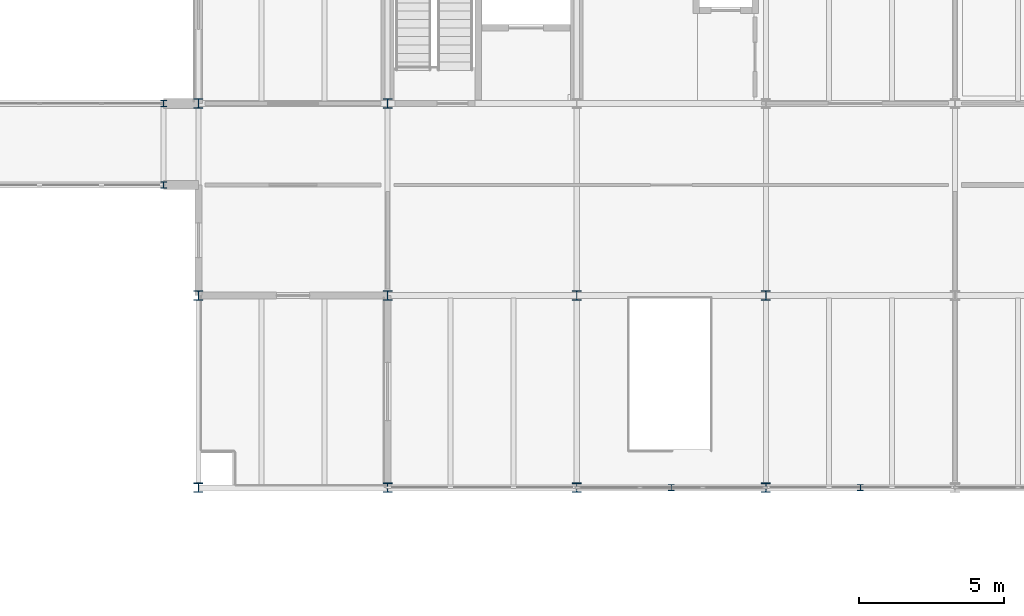
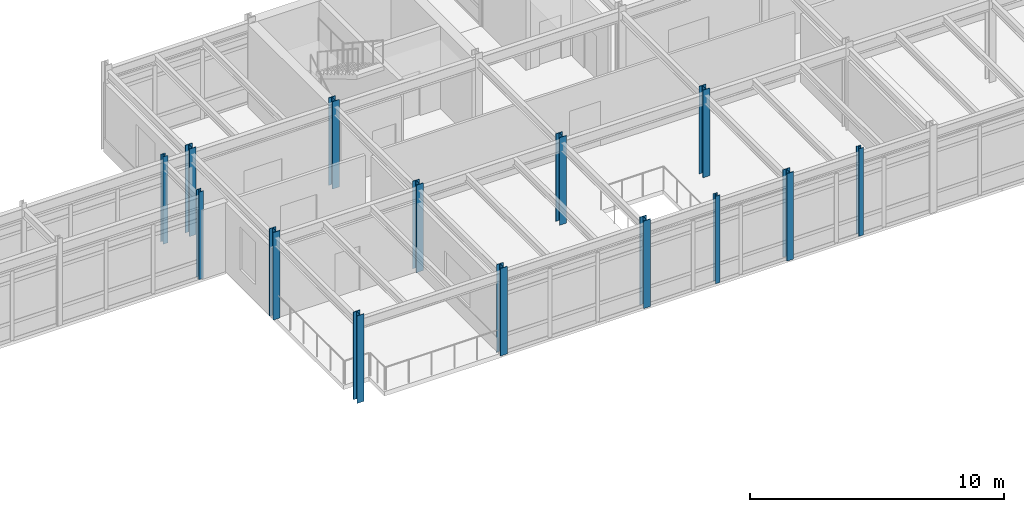
# One storey, part 9 of 144: 14 columns.
"""IFC4 building model written with IfcOpenShell, lengths in metres."""

from ifc_helpers import new_model, si_unit, direction, frame, origin, origin_2d, place, context, subcontext, project, spatial, i_section, extrude, material, material_profile, profile_set, type_object, element, save


model = new_model("IFC4")

# Units and contexts
model_context = context("Model", 3, precision=1e-05, world=origin(), true_north=direction((0.0, 1.0)))
body_context = subcontext(model_context, "Body", "Model", "MODEL_VIEW")
ifc_project = project(units=[si_unit("LENGTHUNIT", "METRE"), si_unit("AREAUNIT", "SQUARE_METRE"), si_unit("VOLUMEUNIT", "CUBIC_METRE"), si_unit("PLANEANGLEUNIT", "RADIAN"), si_unit("MASSUNIT", "GRAM", prefix="KILO")], contexts=[model_context])

# Site, building, storey
site_placement = place(None, origin())
site = spatial("IfcSite", under=ifc_project, at=site_placement, CompositionType="ELEMENT")
building_placement = place(site_placement, origin())
building = spatial("IfcBuilding", under=site, at=building_placement, Name="Trelmorton Wharf Fire Station", CompositionType="ELEMENT")
storey_placement = place(building_placement, frame((0.0, 0.0, 5.39990234375)))
storey = spatial("IfcBuildingStorey", under=building, at=storey_placement, Name="L01", CompositionType="ELEMENT", Elevation=5.39990234375)

# Columns
ifc_material = material(Name="Steel Grade 350", Category="steel")
ifc_material_profile_1 = material_profile(ifc_material, i_section(OverallWidth=0.205078125, OverallDepth=0.2099609375, WebThickness=0.00927734375, FlangeThickness=0.01416015625, FilletRadius=0.011474609375, at=origin_2d()), Name="200UC59.5")
ifc_profile_set_1 = profile_set([ifc_material_profile_1], Name="Steel Grade 350")
column_type_1 = type_object("IfcColumnType", Name="COL_200UC60", PredefinedType="COLUMN", material=ifc_profile_set_1)
for number, where, z_axis, x_axis, name in (
    (1, (102.800048828125, 18.199951171875, 0.0), (0.0, 0.0, 1.0), (1.0, 0.0, 0.0), "COL-L01-0373"),
    (2, (102.800048828125, 21.0, 0.0), (0.0, 0.0, 1.0), (1.0, 0.0, 0.0), "COL-L01-0374"),
):
    element("IfcColumn", number, at=place(storey_placement, frame(where, z_axis=z_axis, x_axis=x_axis)), inside=storey, type_object=column_type_1, Name=name, PredefinedType="COLUMN", context=body_context, shape_type="SweptSolid", body=[
        extrude(i_section(OverallWidth=0.205078125, OverallDepth=0.2099609375, WebThickness=0.00927734375, FlangeThickness=0.01416015625, FilletRadius=0.011474609375, at=origin_2d()), origin(), (0.0, 0.0, 1.0), 4.2001953125),
    ])
ifc_material_profile_2 = material_profile(ifc_material, i_section(OverallWidth=0.31103515625, OverallDepth=0.326904296875, WebThickness=0.015625, FlangeThickness=0.02490234375, FilletRadius=0.0166015625, at=origin_2d()), Name="310UC158")
ifc_profile_set_2 = profile_set([ifc_material_profile_2], Name="Steel Grade 350")
column_type_2 = type_object("IfcColumnType", Name="COL_310UC158", PredefinedType="COLUMN", material=ifc_profile_set_2)
for number, where, z_axis, x_axis, name in (
    (3, (104.0, 7.800048828125, 0.0), (0.0, 0.0, 1.0), (1.0, 0.0, 0.0), "COL-L01-0375"),
    (4, (104.0, 14.39990234375, 0.0), (0.0, 0.0, 1.0), (1.0, 0.0, 0.0), "COL-L01-0376"),
    (5, (104.0, 21.0, 0.0), (0.0, 0.0, 1.0), (1.0, 0.0, 0.0), "COL-L01-0377"),
    (6, (110.5, 7.800048828125, 0.0), (0.0, 0.0, 1.0), (1.0, 0.0, 0.0), "COL-L01-0383"),
    (7, (110.5, 14.39990234375, 0.0), (0.0, 0.0, 1.0), (1.0, 0.0, 0.0), "COL-L01-0384"),
    (8, (110.5, 21.0, 0.0), (0.0, 0.0, 1.0), (1.0, 0.0, 0.0), "COL-L01-0385"),
    (9, (117.0, 7.800048828125, 0.0), (0.0, 0.0, 1.0), (1.0, 0.0, 0.0), "COL-L01-0391"),
    (10, (117.0, 14.39990234375, 0.0), (0.0, 0.0, 1.0), (1.0, 0.0, 0.0), "COL-L01-0392"),
    (11, (123.5, 7.800048828125, 0.0), (0.0, 0.0, 1.0), (1.0, 0.0, 0.0), "COL-L01-0405"),
    (12, (123.5, 14.39990234375, 0.0), (0.0, 0.0, 1.0), (1.0, 0.0, 0.0), "COL-L01-0406"),
):
    element("IfcColumn", number, at=place(storey_placement, frame(where, z_axis=z_axis, x_axis=x_axis)), inside=storey, type_object=column_type_2, Name=name, PredefinedType="COLUMN", context=body_context, shape_type="SweptSolid", body=[
        extrude(i_section(OverallWidth=0.31103515625, OverallDepth=0.326904296875, WebThickness=0.015625, FlangeThickness=0.02490234375, FilletRadius=0.0166015625, at=origin_2d()), origin(), (0.0, 0.0, 1.0), 4.2001953125),
    ])
ifc_material_profile_3 = material_profile(ifc_material, i_section(OverallWidth=0.205078125, OverallDepth=0.2099609375, WebThickness=0.00927734375, FlangeThickness=0.01416015625, FilletRadius=0.011474609375, at=origin_2d()), Name="200UC59.5")
ifc_profile_set_3 = profile_set([ifc_material_profile_3], Name="Steel Grade 350")
column_type_3 = type_object("IfcColumnType", Name="PIL_200UC60", PredefinedType="PILASTER", material=ifc_profile_set_3)
for number, where, z_axis, x_axis, name in (
    (13, (120.25, 7.800048828125, 0.0), (0.0, 0.0, 1.0), (1.0, 0.0, 0.0), "PIL-S-L01-005"),
    (14, (126.75, 7.800048828125, 0.0), (0.0, 0.0, 1.0), (1.0, 0.0, 0.0), "PIL-S-L01-013"),
):
    element("IfcColumn", number, at=place(storey_placement, frame(where, z_axis=z_axis, x_axis=x_axis)), inside=storey, type_object=column_type_3, Name=name, PredefinedType="PILASTER", context=body_context, shape_type="SweptSolid", body=[
        extrude(i_section(OverallWidth=0.205078125, OverallDepth=0.2099609375, WebThickness=0.00927734375, FlangeThickness=0.01416015625, FilletRadius=0.011474609375, at=origin_2d()), origin(), (0.0, 0.0, 1.0), 4.2001953125),
    ])

save(model, "model.ifc")
